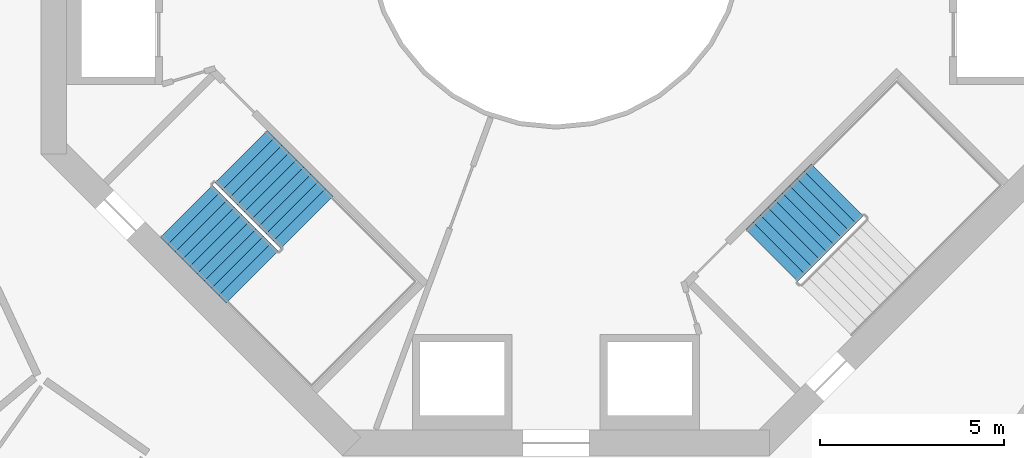
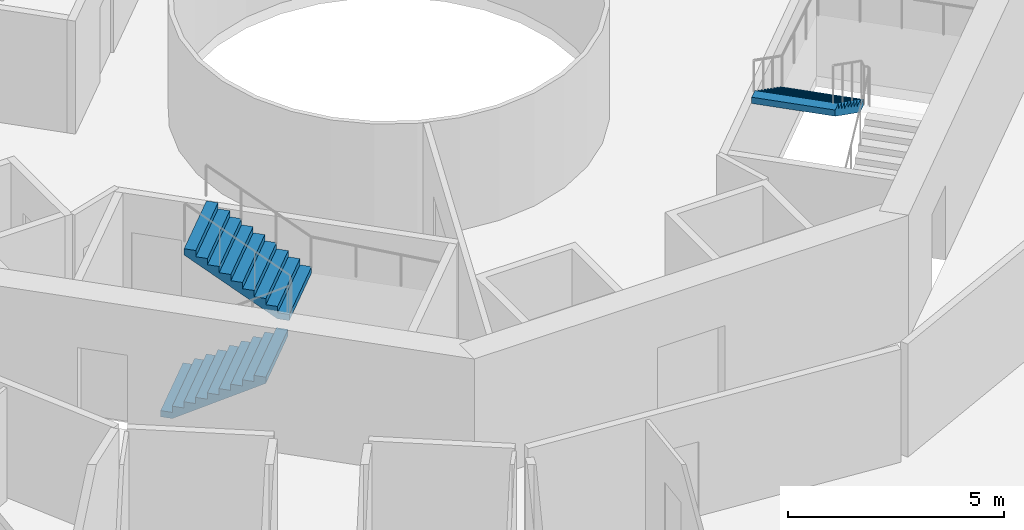
# One storey, part 21 of 23: 3 stair flights, 2 elements without a shape of their own.
"""IFC4 building model written with IfcOpenShell, lengths in metres."""

from ifc_helpers import new_model, si_unit, direction, frame, origin, place, context, subcontext, project, spatial, triangles, material, type_object, element, aggregate, save


model = new_model("IFC4")

# Units and contexts
model_context = context("Model", 3, precision=1e-05, world=origin(), true_north=direction((0.0, 1.0)))
body_context = subcontext(model_context, "Body", "Model", "MODEL_VIEW")
ifc_project = project(units=[si_unit("LENGTHUNIT", "METRE"), si_unit("AREAUNIT", "SQUARE_METRE"), si_unit("VOLUMEUNIT", "CUBIC_METRE"), si_unit("PLANEANGLEUNIT", "RADIAN"), si_unit("MASSUNIT", "GRAM", prefix="KILO")], contexts=[model_context])

# Site, building, storey
site_placement = place(None, origin())
site = spatial("IfcSite", under=ifc_project, at=site_placement, CompositionType="ELEMENT")
building_placement = place(site_placement, origin())
building = spatial("IfcBuilding", under=site, at=building_placement, Name="Verdalira Terraces Hotel", CompositionType="ELEMENT")
storey_placement = place(building_placement, frame((0.0, 0.0, 136.5)))
storey = spatial("IfcBuildingStorey", under=building, at=storey_placement, Name="L32", CompositionType="ELEMENT", Elevation=136.5)

# Stair, stair flights
ifc_material_1 = material(Name="Concrete C40", Category="concrete")
stair_type = type_object("IfcStairType", Name="Core stair 20 risers 2000 mm wide", PredefinedType="HALF_TURN_STAIR", material=ifc_material_1)
stair_1_placement = place(storey_placement, origin())
stair_1 = element("IfcStair", 1, at=stair_1_placement, inside=storey, type_object=stair_type, Name="L32 Exit stair ST2", PredefinedType="HALF_TURN_STAIR")
ifc_material_2 = material(Name="Concrete C40", Category="concrete")
stair_flight_type = type_object("IfcStairFlightType", Name="Core stair flight 20 risers 2000 mm wide", PredefinedType="STRAIGHT", material=ifc_material_2)
stair_flight_1_placement = place(storey_placement, frame((-10.041016, -7.354004, 0.0), z_axis=(0.0, 0.0, 1.0), x_axis=(0.707106781, -0.707106781, 0.0)))
stair_flight_1 = element("IfcStairFlight", 2, at=stair_flight_1_placement, type_object=stair_flight_type, Name="ST2 flight 1", NumberOfRisers=10, NumberOfTreads=9, PredefinedType="STRAIGHT", RiserHeight=0.175, TreadLength=0.28, context=body_context, shape_type="Tessellation", body=[
    triangles([(0.0, 1.0, 0.0), (0.282715, 1.0, 0.0), (2.52002, 1.0, 1.398193), (0.0, -1.0, 0.0), (0.282715, -1.0, 0.0), (2.52002, -1.0, 1.398193), (2.52002, 1.0, 1.574951), (2.23999, 1.0, 1.574951), (2.52002, -1.0, 1.574951), (2.23999, -1.0, 1.574951), (2.23999, 1.0, 1.399902), (2.23999, -1.0, 1.399902), (1.959961, 1.0, 1.399902), (1.959961, -1.0, 1.399902), (1.959961, 1.0, 1.225098), (1.959961, -1.0, 1.225098), (1.679932, 1.0, 1.225098), (1.679932, 1.0, 1.050049), (1.679932, -1.0, 1.225098), (1.679932, -1.0, 1.050049), (1.399902, 1.0, 1.050049), (1.399902, 1.0, 0.875), (1.399902, -1.0, 1.050049), (1.399902, -1.0, 0.875), (1.120117, 1.0, 0.875), (1.120117, 1.0, 0.699951), (1.120117, -1.0, 0.875), (1.120117, -1.0, 0.699951), (0.840088, 1.0, 0.699951), (0.840088, 1.0, 0.524902), (0.840088, -1.0, 0.699951), (0.840088, -1.0, 0.524902), (0.560059, 1.0, 0.524902), (0.560059, 1.0, 0.350098), (0.560059, -1.0, 0.524902), (0.560059, -1.0, 0.350098), (0.280029, 1.0, 0.350098), (0.280029, 1.0, 0.175049), (0.280029, -1.0, 0.350098), (0.280029, -1.0, 0.175049), (0.0, 1.0, 0.175049), (0.0, -1.0, 0.175049), (0.0, -0.9375, 0.0), (0.0, -0.9375, 0.175049), (0.0, -0.875, 0.0), (0.0, -0.875, 0.175049), (0.0, -0.8125, 0.0), (0.0, -0.8125, 0.175049), (0.0, -0.75, 0.0), (0.0, -0.75, 0.175049), (0.0, -0.6875, 0.0), (0.0, -0.6875, 0.175049), (0.0, -0.625, 0.0), (0.0, -0.625, 0.175049), (0.0, -0.5625, 0.0), (0.0, -0.5625, 0.175049), (0.0, -0.5, 0.0), (0.0, -0.5, 0.175049), (0.0, -0.4375, 0.0), (0.0, -0.4375, 0.175049), (0.0, -0.375, 0.0), (0.0, -0.375, 0.175049), (0.0, -0.3125, 0.0), (0.0, -0.3125, 0.175049), (0.0, -0.25, 0.0), (0.0, -0.25, 0.175049), (0.0, -0.1875, 0.0), (0.0, -0.1875, 0.175049), (0.0, -0.125, 0.0), (0.0, -0.125, 0.175049), (0.0, -0.0625, 0.0), (0.0, -0.0625, 0.175049), (0.0, 0.0, 0.0), (0.0, 0.0, 0.175049), (0.0, 0.0625, 0.0), (0.0, 0.0625, 0.175049), (0.0, 0.125, 0.0), (0.0, 0.125, 0.175049), (0.0, 0.1875, 0.0), (0.0, 0.1875, 0.175049), (0.0, 0.25, 0.0), (0.0, 0.25, 0.175049), (0.0, 0.3125, 0.0), (0.0, 0.3125, 0.175049), (0.0, 0.375, 0.0), (0.0, 0.375, 0.175049), (0.0, 0.4375, 0.0), (0.0, 0.4375, 0.175049), (0.0, 0.5, 0.0), (0.0, 0.5, 0.175049), (0.0, 0.5625, 0.0), (0.0, 0.5625, 0.175049), (0.0, 0.625, 0.0), (0.0, 0.625, 0.175049), (0.0, 0.6875, 0.0), (0.0, 0.6875, 0.175049), (0.0, 0.75, 0.0), (0.0, 0.75, 0.175049), (0.0, 0.8125, 0.0), (0.0, 0.8125, 0.175049), (0.0, 0.875, 0.0), (0.0, 0.875, 0.175049), (0.0, 0.9375, 0.0), (0.0, 0.9375, 0.175049), (2.52002, -0.9375, 1.574951), (2.52002, -0.875, 1.574951), (2.52002, -0.8125, 1.574951), (2.52002, -0.75, 1.574951), (2.52002, -0.6875, 1.574951), (2.52002, -0.625, 1.574951), (2.52002, -0.5625, 1.574951), (2.52002, -0.5, 1.574951), (2.52002, -0.4375, 1.574951), (2.52002, -0.375, 1.574951), (2.52002, -0.3125, 1.574951), (2.52002, -0.25, 1.574951), (2.52002, -0.1875, 1.574951), (2.52002, -0.125, 1.574951), (2.52002, -0.0625, 1.574951), (2.52002, 0.0, 1.574951), (2.52002, 0.0625, 1.574951), (2.52002, 0.125, 1.574951), (2.52002, 0.1875, 1.574951), (2.52002, 0.25, 1.574951), (2.52002, 0.3125, 1.574951), (2.52002, 0.375, 1.574951), (2.52002, 0.4375, 1.574951), (2.52002, 0.5, 1.574951), (2.52002, 0.5625, 1.574951), (2.52002, 0.625, 1.574951), (2.52002, 0.6875, 1.574951), (2.52002, 0.75, 1.574951), (2.52002, 0.8125, 1.574951), (2.52002, 0.875, 1.574951), (2.52002, 0.9375, 1.574951), (2.52002, -0.9375, 1.398193), (2.52002, -0.875, 1.398193), (2.52002, -0.8125, 1.398193), (2.52002, -0.75, 1.398193), (2.52002, -0.6875, 1.398193), (2.52002, -0.625, 1.398193), (2.52002, -0.5625, 1.398193), (2.52002, -0.5, 1.398193), (2.52002, -0.4375, 1.398193), (2.52002, -0.375, 1.398193), (2.52002, -0.3125, 1.398193), (2.52002, -0.25, 1.398193), (2.52002, -0.1875, 1.398193), (2.52002, -0.125, 1.398193), (2.52002, -0.0625, 1.398193), (2.52002, 0.0, 1.398193), (2.52002, 0.0625, 1.398193), (2.52002, 0.125, 1.398193), (2.52002, 0.1875, 1.398193), (2.52002, 0.25, 1.398193), (2.52002, 0.3125, 1.398193), (2.52002, 0.375, 1.398193), (2.52002, 0.4375, 1.398193), (2.52002, 0.5, 1.398193), (2.52002, 0.5625, 1.398193), (2.52002, 0.625, 1.398193), (2.52002, 0.6875, 1.398193), (2.52002, 0.75, 1.398193), (2.52002, 0.8125, 1.398193), (2.52002, 0.875, 1.398193), (2.52002, 0.9375, 1.398193)], [[1, 3, 2], [4, 5, 6], [3, 8, 7], [6, 9, 10], [3, 11, 8], [6, 10, 12], [3, 13, 11], [6, 12, 14], [3, 15, 13], [6, 14, 16], [15, 18, 17], [16, 19, 20], [3, 18, 15], [6, 16, 20], [18, 22, 21], [20, 23, 24], [3, 22, 18], [6, 20, 24], [22, 26, 25], [24, 27, 28], [3, 26, 22], [6, 24, 28], [26, 30, 29], [28, 31, 32], [3, 30, 26], [6, 28, 32], [1, 30, 3], [4, 6, 32], [30, 34, 33], [32, 35, 36], [34, 38, 37], [36, 39, 40], [30, 38, 34], [32, 36, 40], [1, 38, 30], [4, 32, 40], [38, 1, 41], [40, 42, 4], [4, 44, 43], [4, 42, 44], [43, 46, 45], [43, 44, 46], [45, 48, 47], [45, 46, 48], [47, 50, 49], [47, 48, 50], [49, 52, 51], [49, 50, 52], [51, 54, 53], [51, 52, 54], [53, 56, 55], [53, 54, 56], [55, 58, 57], [55, 56, 58], [57, 60, 59], [57, 58, 60], [59, 62, 61], [59, 60, 62], [61, 64, 63], [61, 62, 64], [63, 66, 65], [63, 64, 66], [65, 68, 67], [65, 66, 68], [67, 70, 69], [67, 68, 70], [69, 72, 71], [69, 70, 72], [71, 74, 73], [71, 72, 74], [73, 76, 75], [73, 74, 76], [75, 78, 77], [75, 76, 78], [77, 80, 79], [77, 78, 80], [79, 82, 81], [79, 80, 82], [81, 84, 83], [81, 82, 84], [83, 86, 85], [83, 84, 86], [85, 88, 87], [85, 86, 88], [87, 90, 89], [87, 88, 90], [89, 92, 91], [89, 90, 92], [91, 94, 93], [91, 92, 94], [93, 96, 95], [93, 94, 96], [95, 98, 97], [95, 96, 98], [97, 100, 99], [97, 98, 100], [99, 102, 101], [99, 100, 102], [101, 104, 103], [101, 102, 104], [103, 41, 1], [103, 104, 41], [42, 40, 44], [44, 40, 46], [46, 40, 48], [48, 40, 50], [50, 40, 52], [52, 40, 54], [54, 40, 56], [56, 40, 58], [58, 40, 60], [60, 40, 62], [62, 40, 64], [64, 40, 66], [66, 40, 68], [68, 40, 70], [70, 40, 72], [72, 40, 74], [74, 40, 76], [76, 40, 78], [78, 40, 80], [80, 40, 82], [82, 40, 84], [84, 40, 86], [86, 40, 88], [88, 40, 90], [90, 40, 92], [92, 40, 94], [94, 40, 96], [96, 40, 98], [98, 40, 100], [100, 40, 102], [102, 40, 104], [104, 40, 41], [41, 40, 38], [40, 37, 38], [40, 39, 37], [39, 34, 37], [39, 36, 34], [36, 33, 34], [36, 35, 33], [35, 30, 33], [35, 32, 30], [32, 29, 30], [32, 31, 29], [31, 26, 29], [31, 28, 26], [28, 25, 26], [28, 27, 25], [27, 22, 25], [27, 24, 22], [24, 21, 22], [24, 23, 21], [23, 18, 21], [23, 20, 18], [20, 17, 18], [20, 19, 17], [19, 15, 17], [19, 16, 15], [16, 13, 15], [16, 14, 13], [14, 11, 13], [14, 12, 11], [12, 8, 11], [12, 10, 8], [9, 105, 10], [105, 106, 10], [106, 107, 10], [107, 108, 10], [108, 109, 10], [109, 110, 10], [110, 111, 10], [111, 112, 10], [112, 113, 10], [113, 114, 10], [114, 115, 10], [115, 116, 10], [116, 117, 10], [117, 118, 10], [118, 119, 10], [119, 120, 10], [120, 121, 10], [121, 122, 10], [122, 123, 10], [123, 124, 10], [124, 125, 10], [125, 126, 10], [126, 127, 10], [127, 128, 10], [128, 129, 10], [129, 130, 10], [130, 131, 10], [131, 132, 10], [132, 133, 10], [133, 134, 10], [134, 135, 10], [135, 7, 10], [7, 8, 10], [9, 136, 105], [9, 6, 136], [105, 137, 106], [105, 136, 137], [106, 138, 107], [106, 137, 138], [107, 139, 108], [107, 138, 139], [108, 140, 109], [108, 139, 140], [109, 141, 110], [109, 140, 141], [110, 142, 111], [110, 141, 142], [111, 143, 112], [111, 142, 143], [112, 144, 113], [112, 143, 144], [113, 145, 114], [113, 144, 145], [114, 146, 115], [114, 145, 146], [115, 147, 116], [115, 146, 147], [116, 148, 117], [116, 147, 148], [117, 149, 118], [117, 148, 149], [118, 150, 119], [118, 149, 150], [119, 151, 120], [119, 150, 151], [120, 152, 121], [120, 151, 152], [121, 153, 122], [121, 152, 153], [122, 154, 123], [122, 153, 154], [123, 155, 124], [123, 154, 155], [124, 156, 125], [124, 155, 156], [125, 157, 126], [125, 156, 157], [126, 158, 127], [126, 157, 158], [127, 159, 128], [127, 158, 159], [128, 160, 129], [128, 159, 160], [129, 161, 130], [129, 160, 161], [130, 162, 131], [130, 161, 162], [131, 163, 132], [131, 162, 163], [132, 164, 133], [132, 163, 164], [133, 165, 134], [133, 164, 165], [134, 166, 135], [134, 165, 166], [135, 3, 7], [135, 166, 3], [6, 5, 136], [136, 5, 137], [137, 5, 138], [138, 5, 139], [139, 5, 140], [140, 5, 141], [141, 5, 142], [142, 5, 143], [143, 5, 144], [144, 5, 145], [145, 5, 146], [146, 5, 147], [147, 5, 148], [148, 5, 149], [149, 5, 150], [150, 5, 151], [151, 5, 152], [152, 5, 153], [153, 5, 154], [154, 5, 155], [155, 5, 156], [156, 5, 157], [157, 5, 158], [158, 5, 159], [159, 5, 160], [160, 5, 161], [161, 5, 162], [162, 5, 163], [163, 5, 164], [164, 5, 165], [165, 5, 166], [166, 5, 3], [3, 5, 2], [4, 43, 5], [43, 45, 5], [45, 47, 5], [47, 49, 5], [49, 51, 5], [51, 53, 5], [53, 55, 5], [55, 57, 5], [57, 59, 5], [59, 61, 5], [61, 63, 5], [63, 65, 5], [65, 67, 5], [67, 69, 5], [69, 71, 5], [71, 73, 5], [73, 75, 5], [75, 77, 5], [77, 79, 5], [79, 81, 5], [81, 83, 5], [83, 85, 5], [85, 87, 5], [87, 89, 5], [89, 91, 5], [91, 93, 5], [93, 95, 5], [95, 97, 5], [97, 99, 5], [99, 101, 5], [101, 103, 5], [103, 1, 5], [1, 2, 5]], closed=True),
])
stair_flight_2_placement = place(storey_placement, frame((-6.77417, -7.650879, 1.75), z_axis=(0.0, 0.0, 1.0), x_axis=(-0.707106781, 0.707106781, 0.0)))
stair_flight_2 = element("IfcStairFlight", 3, at=stair_flight_2_placement, type_object=stair_flight_type, Name="ST2 flight 2", NumberOfRisers=10, NumberOfTreads=9, PredefinedType="STRAIGHT", RiserHeight=0.175, TreadLength=0.28, context=body_context, shape_type="Tessellation", body=[
    triangles([(0.0, 1.0, 0.0), (0.282715, 1.0, 0.0), (2.52002, 1.0, 1.398193), (0.0, -1.0, 0.0), (0.282715, -1.0, 0.0), (2.52002, -1.0, 1.398193), (2.52002, 1.0, 1.574951), (2.23999, 1.0, 1.574951), (2.52002, -1.0, 1.574951), (2.23999, -1.0, 1.574951), (2.23999, 1.0, 1.399902), (2.23999, -1.0, 1.399902), (1.959961, 1.0, 1.399902), (1.959961, -1.0, 1.399902), (1.959961, 1.0, 1.225098), (1.959961, -1.0, 1.225098), (1.679932, 1.0, 1.225098), (1.679932, 1.0, 1.050049), (1.679932, -1.0, 1.225098), (1.679932, -1.0, 1.050049), (1.399902, 1.0, 1.050049), (1.399902, 1.0, 0.875), (1.399902, -1.0, 1.050049), (1.399902, -1.0, 0.875), (1.120117, 1.0, 0.875), (1.120117, 1.0, 0.699951), (1.120117, -1.0, 0.875), (1.120117, -1.0, 0.699951), (0.840088, 1.0, 0.699951), (0.840088, 1.0, 0.524902), (0.840088, -1.0, 0.699951), (0.840088, -1.0, 0.524902), (0.560059, 1.0, 0.524902), (0.560059, 1.0, 0.350098), (0.560059, -1.0, 0.524902), (0.560059, -1.0, 0.350098), (0.280029, 1.0, 0.350098), (0.280029, 1.0, 0.175049), (0.280029, -1.0, 0.350098), (0.280029, -1.0, 0.175049), (0.0, 1.0, 0.175049), (0.0, -1.0, 0.175049), (0.0, -0.9375, 0.0), (0.0, -0.9375, 0.175049), (0.0, -0.875, 0.0), (0.0, -0.875, 0.175049), (0.0, -0.8125, 0.0), (0.0, -0.8125, 0.175049), (0.0, -0.75, 0.0), (0.0, -0.75, 0.175049), (0.0, -0.6875, 0.0), (0.0, -0.6875, 0.175049), (0.0, -0.625, 0.0), (0.0, -0.625, 0.175049), (0.0, -0.5625, 0.0), (0.0, -0.5625, 0.175049), (0.0, -0.5, 0.0), (0.0, -0.5, 0.175049), (0.0, -0.4375, 0.0), (0.0, -0.4375, 0.175049), (0.0, -0.375, 0.0), (0.0, -0.375, 0.175049), (0.0, -0.3125, 0.0), (0.0, -0.3125, 0.175049), (0.0, -0.25, 0.0), (0.0, -0.25, 0.175049), (0.0, -0.1875, 0.0), (0.0, -0.1875, 0.175049), (0.0, -0.125, 0.0), (0.0, -0.125, 0.175049), (0.0, -0.0625, 0.0), (0.0, -0.0625, 0.175049), (0.0, 0.0, 0.0), (0.0, 0.0, 0.175049), (0.0, 0.0625, 0.0), (0.0, 0.0625, 0.175049), (0.0, 0.125, 0.0), (0.0, 0.125, 0.175049), (0.0, 0.1875, 0.0), (0.0, 0.1875, 0.175049), (0.0, 0.25, 0.0), (0.0, 0.25, 0.175049), (0.0, 0.3125, 0.0), (0.0, 0.3125, 0.175049), (0.0, 0.375, 0.0), (0.0, 0.375, 0.175049), (0.0, 0.4375, 0.0), (0.0, 0.4375, 0.175049), (0.0, 0.5, 0.0), (0.0, 0.5, 0.175049), (0.0, 0.5625, 0.0), (0.0, 0.5625, 0.175049), (0.0, 0.625, 0.0), (0.0, 0.625, 0.175049), (0.0, 0.6875, 0.0), (0.0, 0.6875, 0.175049), (0.0, 0.75, 0.0), (0.0, 0.75, 0.175049), (0.0, 0.8125, 0.0), (0.0, 0.8125, 0.175049), (0.0, 0.875, 0.0), (0.0, 0.875, 0.175049), (0.0, 0.9375, 0.0), (0.0, 0.9375, 0.175049), (2.52002, -0.9375, 1.574951), (2.52002, -0.875, 1.574951), (2.52002, -0.8125, 1.574951), (2.52002, -0.75, 1.574951), (2.52002, -0.6875, 1.574951), (2.52002, -0.625, 1.574951), (2.52002, -0.5625, 1.574951), (2.52002, -0.5, 1.574951), (2.52002, -0.4375, 1.574951), (2.52002, -0.375, 1.574951), (2.52002, -0.3125, 1.574951), (2.52002, -0.25, 1.574951), (2.52002, -0.1875, 1.574951), (2.52002, -0.125, 1.574951), (2.52002, -0.0625, 1.574951), (2.52002, 0.0, 1.574951), (2.52002, 0.0625, 1.574951), (2.52002, 0.125, 1.574951), (2.52002, 0.1875, 1.574951), (2.52002, 0.25, 1.574951), (2.52002, 0.3125, 1.574951), (2.52002, 0.375, 1.574951), (2.52002, 0.4375, 1.574951), (2.52002, 0.5, 1.574951), (2.52002, 0.5625, 1.574951), (2.52002, 0.625, 1.574951), (2.52002, 0.6875, 1.574951), (2.52002, 0.75, 1.574951), (2.52002, 0.8125, 1.574951), (2.52002, 0.875, 1.574951), (2.52002, 0.9375, 1.574951), (2.52002, -0.9375, 1.398193), (2.52002, -0.875, 1.398193), (2.52002, -0.8125, 1.398193), (2.52002, -0.75, 1.398193), (2.52002, -0.6875, 1.398193), (2.52002, -0.625, 1.398193), (2.52002, -0.5625, 1.398193), (2.52002, -0.5, 1.398193), (2.52002, -0.4375, 1.398193), (2.52002, -0.375, 1.398193), (2.52002, -0.3125, 1.398193), (2.52002, -0.25, 1.398193), (2.52002, -0.1875, 1.398193), (2.52002, -0.125, 1.398193), (2.52002, -0.0625, 1.398193), (2.52002, 0.0, 1.398193), (2.52002, 0.0625, 1.398193), (2.52002, 0.125, 1.398193), (2.52002, 0.1875, 1.398193), (2.52002, 0.25, 1.398193), (2.52002, 0.3125, 1.398193), (2.52002, 0.375, 1.398193), (2.52002, 0.4375, 1.398193), (2.52002, 0.5, 1.398193), (2.52002, 0.5625, 1.398193), (2.52002, 0.625, 1.398193), (2.52002, 0.6875, 1.398193), (2.52002, 0.75, 1.398193), (2.52002, 0.8125, 1.398193), (2.52002, 0.875, 1.398193), (2.52002, 0.9375, 1.398193)], [[1, 3, 2], [4, 5, 6], [3, 8, 7], [6, 9, 10], [3, 11, 8], [6, 10, 12], [3, 13, 11], [6, 12, 14], [3, 15, 13], [6, 14, 16], [15, 18, 17], [16, 19, 20], [3, 18, 15], [6, 16, 20], [18, 22, 21], [20, 23, 24], [3, 22, 18], [6, 20, 24], [22, 26, 25], [24, 27, 28], [3, 26, 22], [6, 24, 28], [26, 30, 29], [28, 31, 32], [3, 30, 26], [6, 28, 32], [1, 30, 3], [4, 6, 32], [30, 34, 33], [32, 35, 36], [34, 38, 37], [36, 39, 40], [30, 38, 34], [32, 36, 40], [1, 38, 30], [4, 32, 40], [38, 1, 41], [40, 42, 4], [4, 44, 43], [4, 42, 44], [43, 46, 45], [43, 44, 46], [45, 48, 47], [45, 46, 48], [47, 50, 49], [47, 48, 50], [49, 52, 51], [49, 50, 52], [51, 54, 53], [51, 52, 54], [53, 56, 55], [53, 54, 56], [55, 58, 57], [55, 56, 58], [57, 60, 59], [57, 58, 60], [59, 62, 61], [59, 60, 62], [61, 64, 63], [61, 62, 64], [63, 66, 65], [63, 64, 66], [65, 68, 67], [65, 66, 68], [67, 70, 69], [67, 68, 70], [69, 72, 71], [69, 70, 72], [71, 74, 73], [71, 72, 74], [73, 76, 75], [73, 74, 76], [75, 78, 77], [75, 76, 78], [77, 80, 79], [77, 78, 80], [79, 82, 81], [79, 80, 82], [81, 84, 83], [81, 82, 84], [83, 86, 85], [83, 84, 86], [85, 88, 87], [85, 86, 88], [87, 90, 89], [87, 88, 90], [89, 92, 91], [89, 90, 92], [91, 94, 93], [91, 92, 94], [93, 96, 95], [93, 94, 96], [95, 98, 97], [95, 96, 98], [97, 100, 99], [97, 98, 100], [99, 102, 101], [99, 100, 102], [101, 104, 103], [101, 102, 104], [103, 41, 1], [103, 104, 41], [42, 40, 44], [44, 40, 46], [46, 40, 48], [48, 40, 50], [50, 40, 52], [52, 40, 54], [54, 40, 56], [56, 40, 58], [58, 40, 60], [60, 40, 62], [62, 40, 64], [64, 40, 66], [66, 40, 68], [68, 40, 70], [70, 40, 72], [72, 40, 74], [74, 40, 76], [76, 40, 78], [78, 40, 80], [80, 40, 82], [82, 40, 84], [84, 40, 86], [86, 40, 88], [88, 40, 90], [90, 40, 92], [92, 40, 94], [94, 40, 96], [96, 40, 98], [98, 40, 100], [100, 40, 102], [102, 40, 104], [104, 40, 41], [41, 40, 38], [40, 37, 38], [40, 39, 37], [39, 34, 37], [39, 36, 34], [36, 33, 34], [36, 35, 33], [35, 30, 33], [35, 32, 30], [32, 29, 30], [32, 31, 29], [31, 26, 29], [31, 28, 26], [28, 25, 26], [28, 27, 25], [27, 22, 25], [27, 24, 22], [24, 21, 22], [24, 23, 21], [23, 18, 21], [23, 20, 18], [20, 17, 18], [20, 19, 17], [19, 15, 17], [19, 16, 15], [16, 13, 15], [16, 14, 13], [14, 11, 13], [14, 12, 11], [12, 8, 11], [12, 10, 8], [9, 105, 10], [105, 106, 10], [106, 107, 10], [107, 108, 10], [108, 109, 10], [109, 110, 10], [110, 111, 10], [111, 112, 10], [112, 113, 10], [113, 114, 10], [114, 115, 10], [115, 116, 10], [116, 117, 10], [117, 118, 10], [118, 119, 10], [119, 120, 10], [120, 121, 10], [121, 122, 10], [122, 123, 10], [123, 124, 10], [124, 125, 10], [125, 126, 10], [126, 127, 10], [127, 128, 10], [128, 129, 10], [129, 130, 10], [130, 131, 10], [131, 132, 10], [132, 133, 10], [133, 134, 10], [134, 135, 10], [135, 7, 10], [7, 8, 10], [9, 136, 105], [9, 6, 136], [105, 137, 106], [105, 136, 137], [106, 138, 107], [106, 137, 138], [107, 139, 108], [107, 138, 139], [108, 140, 109], [108, 139, 140], [109, 141, 110], [109, 140, 141], [110, 142, 111], [110, 141, 142], [111, 143, 112], [111, 142, 143], [112, 144, 113], [112, 143, 144], [113, 145, 114], [113, 144, 145], [114, 146, 115], [114, 145, 146], [115, 147, 116], [115, 146, 147], [116, 148, 117], [116, 147, 148], [117, 149, 118], [117, 148, 149], [118, 150, 119], [118, 149, 150], [119, 151, 120], [119, 150, 151], [120, 152, 121], [120, 151, 152], [121, 153, 122], [121, 152, 153], [122, 154, 123], [122, 153, 154], [123, 155, 124], [123, 154, 155], [124, 156, 125], [124, 155, 156], [125, 157, 126], [125, 156, 157], [126, 158, 127], [126, 157, 158], [127, 159, 128], [127, 158, 159], [128, 160, 129], [128, 159, 160], [129, 161, 130], [129, 160, 161], [130, 162, 131], [130, 161, 162], [131, 163, 132], [131, 162, 163], [132, 164, 133], [132, 163, 164], [133, 165, 134], [133, 164, 165], [134, 166, 135], [134, 165, 166], [135, 3, 7], [135, 166, 3], [6, 5, 136], [136, 5, 137], [137, 5, 138], [138, 5, 139], [139, 5, 140], [140, 5, 141], [141, 5, 142], [142, 5, 143], [143, 5, 144], [144, 5, 145], [145, 5, 146], [146, 5, 147], [147, 5, 148], [148, 5, 149], [149, 5, 150], [150, 5, 151], [151, 5, 152], [152, 5, 153], [153, 5, 154], [154, 5, 155], [155, 5, 156], [156, 5, 157], [157, 5, 158], [158, 5, 159], [159, 5, 160], [160, 5, 161], [161, 5, 162], [162, 5, 163], [163, 5, 164], [164, 5, 165], [165, 5, 166], [166, 5, 3], [3, 5, 2], [4, 43, 5], [43, 45, 5], [45, 47, 5], [47, 49, 5], [49, 51, 5], [51, 53, 5], [53, 55, 5], [55, 57, 5], [57, 59, 5], [59, 61, 5], [61, 63, 5], [63, 65, 5], [65, 67, 5], [67, 69, 5], [69, 71, 5], [71, 73, 5], [73, 75, 5], [75, 77, 5], [77, 79, 5], [79, 81, 5], [81, 83, 5], [83, 85, 5], [85, 87, 5], [87, 89, 5], [89, 91, 5], [91, 93, 5], [93, 95, 5], [95, 97, 5], [97, 99, 5], [99, 101, 5], [101, 103, 5], [103, 1, 5], [1, 2, 5]], closed=True),
])
aggregate(stair_1, [stair_flight_1, stair_flight_2])

# Stair, stair flight
stair_2_placement = place(storey_placement, origin())
stair_2 = element("IfcStair", 4, at=stair_2_placement, inside=storey, type_object=stair_type, Name="L32 Exit stair ST3", PredefinedType="HALF_TURN_STAIR")
stair_flight_3_placement = place(storey_placement, frame((7.650879, -6.77417, 1.75), z_axis=(0.0, 0.0, 1.0), x_axis=(-0.707106781, -0.707106781, 0.0)))
stair_flight_3 = element("IfcStairFlight", 5, at=stair_flight_3_placement, type_object=stair_flight_type, Name="ST3 flight 2", NumberOfRisers=10, NumberOfTreads=9, PredefinedType="STRAIGHT", RiserHeight=0.175, TreadLength=0.28, context=body_context, shape_type="Tessellation", body=[
    triangles([(0.0, 1.0, 0.0), (0.282715, 1.0, 0.0), (2.52002, 1.0, 1.398193), (0.0, -1.0, 0.0), (0.282715, -1.0, 0.0), (2.52002, -1.0, 1.398193), (2.52002, 1.0, 1.574951), (2.23999, 1.0, 1.574951), (2.52002, -1.0, 1.574951), (2.23999, -1.0, 1.574951), (2.23999, 1.0, 1.399902), (2.23999, -1.0, 1.399902), (1.959961, 1.0, 1.399902), (1.959961, -1.0, 1.399902), (1.959961, 1.0, 1.225098), (1.959961, -1.0, 1.225098), (1.679932, 1.0, 1.225098), (1.679932, 1.0, 1.050049), (1.679932, -1.0, 1.225098), (1.679932, -1.0, 1.050049), (1.399902, 1.0, 1.050049), (1.399902, 1.0, 0.875), (1.399902, -1.0, 1.050049), (1.399902, -1.0, 0.875), (1.120117, 1.0, 0.875), (1.120117, 1.0, 0.699951), (1.120117, -1.0, 0.875), (1.120117, -1.0, 0.699951), (0.840088, 1.0, 0.699951), (0.840088, 1.0, 0.524902), (0.840088, -1.0, 0.699951), (0.840088, -1.0, 0.524902), (0.560059, 1.0, 0.524902), (0.560059, 1.0, 0.350098), (0.560059, -1.0, 0.524902), (0.560059, -1.0, 0.350098), (0.280029, 1.0, 0.350098), (0.280029, 1.0, 0.175049), (0.280029, -1.0, 0.350098), (0.280029, -1.0, 0.175049), (0.0, 1.0, 0.175049), (0.0, -1.0, 0.175049), (0.0, -0.9375, 0.0), (0.0, -0.9375, 0.175049), (0.0, -0.875, 0.0), (0.0, -0.875, 0.175049), (0.0, -0.8125, 0.0), (0.0, -0.8125, 0.175049), (0.0, -0.75, 0.0), (0.0, -0.75, 0.175049), (0.0, -0.6875, 0.0), (0.0, -0.6875, 0.175049), (0.0, -0.625, 0.0), (0.0, -0.625, 0.175049), (0.0, -0.5625, 0.0), (0.0, -0.5625, 0.175049), (0.0, -0.5, 0.0), (0.0, -0.5, 0.175049), (0.0, -0.4375, 0.0), (0.0, -0.4375, 0.175049), (0.0, -0.375, 0.0), (0.0, -0.375, 0.175049), (0.0, -0.3125, 0.0), (0.0, -0.3125, 0.175049), (0.0, -0.25, 0.0), (0.0, -0.25, 0.175049), (0.0, -0.1875, 0.0), (0.0, -0.1875, 0.175049), (0.0, -0.125, 0.0), (0.0, -0.125, 0.175049), (0.0, -0.0625, 0.0), (0.0, -0.0625, 0.175049), (0.0, 0.0, 0.0), (0.0, 0.0, 0.175049), (0.0, 0.0625, 0.0), (0.0, 0.0625, 0.175049), (0.0, 0.125, 0.0), (0.0, 0.125, 0.175049), (0.0, 0.1875, 0.0), (0.0, 0.1875, 0.175049), (0.0, 0.25, 0.0), (0.0, 0.25, 0.175049), (0.0, 0.3125, 0.0), (0.0, 0.3125, 0.175049), (0.0, 0.375, 0.0), (0.0, 0.375, 0.175049), (0.0, 0.4375, 0.0), (0.0, 0.4375, 0.175049), (0.0, 0.5, 0.0), (0.0, 0.5, 0.175049), (0.0, 0.5625, 0.0), (0.0, 0.5625, 0.175049), (0.0, 0.625, 0.0), (0.0, 0.625, 0.175049), (0.0, 0.6875, 0.0), (0.0, 0.6875, 0.175049), (0.0, 0.75, 0.0), (0.0, 0.75, 0.175049), (0.0, 0.8125, 0.0), (0.0, 0.8125, 0.175049), (0.0, 0.875, 0.0), (0.0, 0.875, 0.175049), (0.0, 0.9375, 0.0), (0.0, 0.9375, 0.175049), (2.52002, -0.9375, 1.574951), (2.52002, -0.875, 1.574951), (2.52002, -0.8125, 1.574951), (2.52002, -0.75, 1.574951), (2.52002, -0.6875, 1.574951), (2.52002, -0.625, 1.574951), (2.52002, -0.5625, 1.574951), (2.52002, -0.5, 1.574951), (2.52002, -0.4375, 1.574951), (2.52002, -0.375, 1.574951), (2.52002, -0.3125, 1.574951), (2.52002, -0.25, 1.574951), (2.52002, -0.1875, 1.574951), (2.52002, -0.125, 1.574951), (2.52002, -0.0625, 1.574951), (2.52002, 0.0, 1.574951), (2.52002, 0.0625, 1.574951), (2.52002, 0.125, 1.574951), (2.52002, 0.1875, 1.574951), (2.52002, 0.25, 1.574951), (2.52002, 0.3125, 1.574951), (2.52002, 0.375, 1.574951), (2.52002, 0.4375, 1.574951), (2.52002, 0.5, 1.574951), (2.52002, 0.5625, 1.574951), (2.52002, 0.625, 1.574951), (2.52002, 0.6875, 1.574951), (2.52002, 0.75, 1.574951), (2.52002, 0.8125, 1.574951), (2.52002, 0.875, 1.574951), (2.52002, 0.9375, 1.574951), (2.52002, -0.9375, 1.398193), (2.52002, -0.875, 1.398193), (2.52002, -0.8125, 1.398193), (2.52002, -0.75, 1.398193), (2.52002, -0.6875, 1.398193), (2.52002, -0.625, 1.398193), (2.52002, -0.5625, 1.398193), (2.52002, -0.5, 1.398193), (2.52002, -0.4375, 1.398193), (2.52002, -0.375, 1.398193), (2.52002, -0.3125, 1.398193), (2.52002, -0.25, 1.398193), (2.52002, -0.1875, 1.398193), (2.52002, -0.125, 1.398193), (2.52002, -0.0625, 1.398193), (2.52002, 0.0, 1.398193), (2.52002, 0.0625, 1.398193), (2.52002, 0.125, 1.398193), (2.52002, 0.1875, 1.398193), (2.52002, 0.25, 1.398193), (2.52002, 0.3125, 1.398193), (2.52002, 0.375, 1.398193), (2.52002, 0.4375, 1.398193), (2.52002, 0.5, 1.398193), (2.52002, 0.5625, 1.398193), (2.52002, 0.625, 1.398193), (2.52002, 0.6875, 1.398193), (2.52002, 0.75, 1.398193), (2.52002, 0.8125, 1.398193), (2.52002, 0.875, 1.398193), (2.52002, 0.9375, 1.398193)], [[1, 3, 2], [4, 5, 6], [3, 8, 7], [6, 9, 10], [3, 11, 8], [6, 10, 12], [3, 13, 11], [6, 12, 14], [3, 15, 13], [6, 14, 16], [15, 18, 17], [16, 19, 20], [3, 18, 15], [6, 16, 20], [18, 22, 21], [20, 23, 24], [3, 22, 18], [6, 20, 24], [22, 26, 25], [24, 27, 28], [3, 26, 22], [6, 24, 28], [26, 30, 29], [28, 31, 32], [3, 30, 26], [6, 28, 32], [1, 30, 3], [4, 6, 32], [30, 34, 33], [32, 35, 36], [34, 38, 37], [36, 39, 40], [30, 38, 34], [32, 36, 40], [1, 38, 30], [4, 32, 40], [38, 1, 41], [40, 42, 4], [4, 44, 43], [4, 42, 44], [43, 46, 45], [43, 44, 46], [45, 48, 47], [45, 46, 48], [47, 50, 49], [47, 48, 50], [49, 52, 51], [49, 50, 52], [51, 54, 53], [51, 52, 54], [53, 56, 55], [53, 54, 56], [55, 58, 57], [55, 56, 58], [57, 60, 59], [57, 58, 60], [59, 62, 61], [59, 60, 62], [61, 64, 63], [61, 62, 64], [63, 66, 65], [63, 64, 66], [65, 68, 67], [65, 66, 68], [67, 70, 69], [67, 68, 70], [69, 72, 71], [69, 70, 72], [71, 74, 73], [71, 72, 74], [73, 76, 75], [73, 74, 76], [75, 78, 77], [75, 76, 78], [77, 80, 79], [77, 78, 80], [79, 82, 81], [79, 80, 82], [81, 84, 83], [81, 82, 84], [83, 86, 85], [83, 84, 86], [85, 88, 87], [85, 86, 88], [87, 90, 89], [87, 88, 90], [89, 92, 91], [89, 90, 92], [91, 94, 93], [91, 92, 94], [93, 96, 95], [93, 94, 96], [95, 98, 97], [95, 96, 98], [97, 100, 99], [97, 98, 100], [99, 102, 101], [99, 100, 102], [101, 104, 103], [101, 102, 104], [103, 41, 1], [103, 104, 41], [42, 40, 44], [44, 40, 46], [46, 40, 48], [48, 40, 50], [50, 40, 52], [52, 40, 54], [54, 40, 56], [56, 40, 58], [58, 40, 60], [60, 40, 62], [62, 40, 64], [64, 40, 66], [66, 40, 68], [68, 40, 70], [70, 40, 72], [72, 40, 74], [74, 40, 76], [76, 40, 78], [78, 40, 80], [80, 40, 82], [82, 40, 84], [84, 40, 86], [86, 40, 88], [88, 40, 90], [90, 40, 92], [92, 40, 94], [94, 40, 96], [96, 40, 98], [98, 40, 100], [100, 40, 102], [102, 40, 104], [104, 40, 41], [41, 40, 38], [40, 37, 38], [40, 39, 37], [39, 34, 37], [39, 36, 34], [36, 33, 34], [36, 35, 33], [35, 30, 33], [35, 32, 30], [32, 29, 30], [32, 31, 29], [31, 26, 29], [31, 28, 26], [28, 25, 26], [28, 27, 25], [27, 22, 25], [27, 24, 22], [24, 21, 22], [24, 23, 21], [23, 18, 21], [23, 20, 18], [20, 17, 18], [20, 19, 17], [19, 15, 17], [19, 16, 15], [16, 13, 15], [16, 14, 13], [14, 11, 13], [14, 12, 11], [12, 8, 11], [12, 10, 8], [9, 105, 10], [105, 106, 10], [106, 107, 10], [107, 108, 10], [108, 109, 10], [109, 110, 10], [110, 111, 10], [111, 112, 10], [112, 113, 10], [113, 114, 10], [114, 115, 10], [115, 116, 10], [116, 117, 10], [117, 118, 10], [118, 119, 10], [119, 120, 10], [120, 121, 10], [121, 122, 10], [122, 123, 10], [123, 124, 10], [124, 125, 10], [125, 126, 10], [126, 127, 10], [127, 128, 10], [128, 129, 10], [129, 130, 10], [130, 131, 10], [131, 132, 10], [132, 133, 10], [133, 134, 10], [134, 135, 10], [135, 7, 10], [7, 8, 10], [9, 136, 105], [9, 6, 136], [105, 137, 106], [105, 136, 137], [106, 138, 107], [106, 137, 138], [107, 139, 108], [107, 138, 139], [108, 140, 109], [108, 139, 140], [109, 141, 110], [109, 140, 141], [110, 142, 111], [110, 141, 142], [111, 143, 112], [111, 142, 143], [112, 144, 113], [112, 143, 144], [113, 145, 114], [113, 144, 145], [114, 146, 115], [114, 145, 146], [115, 147, 116], [115, 146, 147], [116, 148, 117], [116, 147, 148], [117, 149, 118], [117, 148, 149], [118, 150, 119], [118, 149, 150], [119, 151, 120], [119, 150, 151], [120, 152, 121], [120, 151, 152], [121, 153, 122], [121, 152, 153], [122, 154, 123], [122, 153, 154], [123, 155, 124], [123, 154, 155], [124, 156, 125], [124, 155, 156], [125, 157, 126], [125, 156, 157], [126, 158, 127], [126, 157, 158], [127, 159, 128], [127, 158, 159], [128, 160, 129], [128, 159, 160], [129, 161, 130], [129, 160, 161], [130, 162, 131], [130, 161, 162], [131, 163, 132], [131, 162, 163], [132, 164, 133], [132, 163, 164], [133, 165, 134], [133, 164, 165], [134, 166, 135], [134, 165, 166], [135, 3, 7], [135, 166, 3], [6, 5, 136], [136, 5, 137], [137, 5, 138], [138, 5, 139], [139, 5, 140], [140, 5, 141], [141, 5, 142], [142, 5, 143], [143, 5, 144], [144, 5, 145], [145, 5, 146], [146, 5, 147], [147, 5, 148], [148, 5, 149], [149, 5, 150], [150, 5, 151], [151, 5, 152], [152, 5, 153], [153, 5, 154], [154, 5, 155], [155, 5, 156], [156, 5, 157], [157, 5, 158], [158, 5, 159], [159, 5, 160], [160, 5, 161], [161, 5, 162], [162, 5, 163], [163, 5, 164], [164, 5, 165], [165, 5, 166], [166, 5, 3], [3, 5, 2], [4, 43, 5], [43, 45, 5], [45, 47, 5], [47, 49, 5], [49, 51, 5], [51, 53, 5], [53, 55, 5], [55, 57, 5], [57, 59, 5], [59, 61, 5], [61, 63, 5], [63, 65, 5], [65, 67, 5], [67, 69, 5], [69, 71, 5], [71, 73, 5], [73, 75, 5], [75, 77, 5], [77, 79, 5], [79, 81, 5], [81, 83, 5], [83, 85, 5], [85, 87, 5], [87, 89, 5], [89, 91, 5], [91, 93, 5], [93, 95, 5], [95, 97, 5], [97, 99, 5], [99, 101, 5], [101, 103, 5], [103, 1, 5], [1, 2, 5]], closed=True),
])
aggregate(stair_2, [stair_flight_3])

save(model, "model.ifc")
